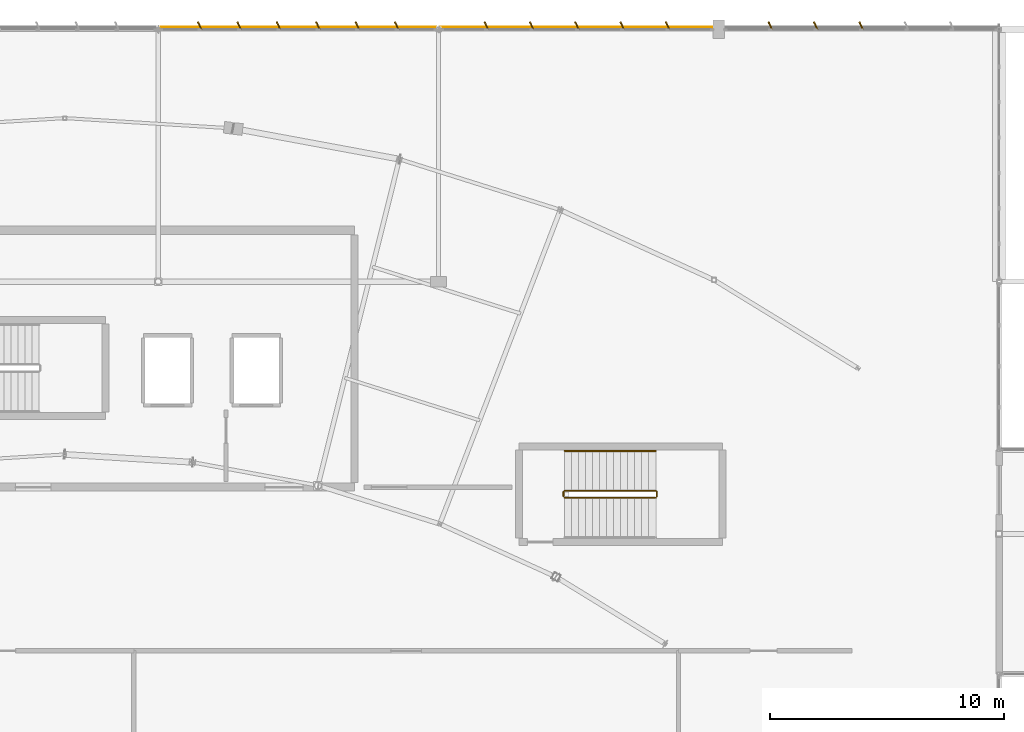
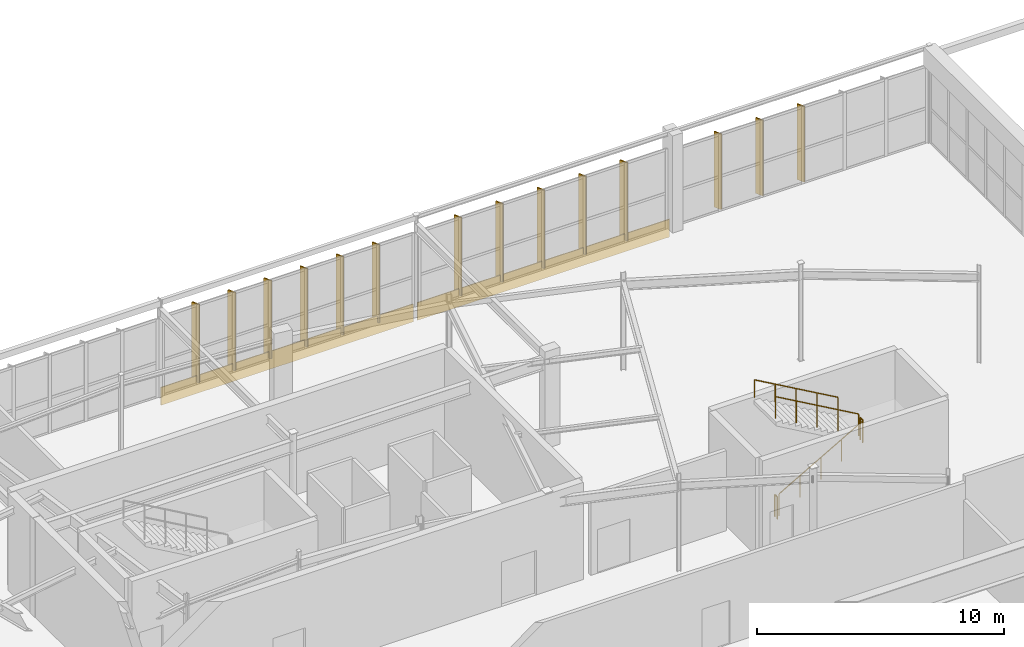
# One storey, part 175 of 186: 14 shading devices, 5 railings, 2 coverings.
"""IFC4 building model written with IfcOpenShell, lengths in metres."""

from ifc_helpers import new_model, si_unit, direction, frame, origin, origin_2d, place, context, subcontext, project, spatial, rectangle, circle, extrude, material, layer, layer_set, type_object, element, save


model = new_model("IFC4")

# Units and contexts
model_context = context("Model", 3, precision=1e-05, world=origin(), true_north=direction((0.0, 1.0)))
body_context = subcontext(model_context, "Body", "Model", "MODEL_VIEW")
ifc_project = project(units=[si_unit("LENGTHUNIT", "METRE"), si_unit("AREAUNIT", "SQUARE_METRE"), si_unit("VOLUMEUNIT", "CUBIC_METRE"), si_unit("PLANEANGLEUNIT", "RADIAN"), si_unit("MASSUNIT", "GRAM", prefix="KILO")], contexts=[model_context])

# Site, building, storey
site_placement = place(None, origin())
site = spatial("IfcSite", under=ifc_project, at=site_placement, CompositionType="ELEMENT")
building_placement = place(site_placement, origin())
building = spatial("IfcBuilding", under=site, at=building_placement, Name="Tarnwether General Hospital", CompositionType="ELEMENT")
storey_placement = place(building_placement, frame((0.0, 0.0, 9.60009765625)))
storey = spatial("IfcBuildingStorey", under=building, at=storey_placement, Name="L02", CompositionType="ELEMENT", Elevation=9.60009765625)

# Coverings
ifc_material_1 = material(Name="Folded zinc-titanium cladding")
ifc_layer_1 = layer(ifc_material_1, 0.0400390625)
ifc_layer_set_1 = layer_set([ifc_layer_1], Name="Folded zinc-titanium cladding")
covering_type = type_object("IfcCoveringType", Name="CV-CLD-ZNC", PredefinedType="CLADDING", material=ifc_layer_set_1)
for number, where, z_axis, x_axis, name in (
    (1, (102.0, 126.090087890625, -0.52001953125), (0.0, 0.0, 1.0), (1.0, 0.0, 0.0), "Diagnostic Base Faceted Zinc Spandrel 086"),
    (2, (114.0, 126.090087890625, -0.52001953125), (0.0, 0.0, 1.0), (1.0, 0.0, 0.0), "Diagnostic Base Faceted Zinc Spandrel 087"),
):
    element("IfcCovering", number, at=place(storey_placement, frame(where, z_axis=z_axis, x_axis=x_axis)), inside=storey, type_object=covering_type, Name=name, PredefinedType="CLADDING", context=body_context, shape_type="SweptSolid", body=[
        extrude(rectangle(XDim=11.800048828125, YDim=0.0400390625, at=origin_2d()), origin(), (0.0, 0.0, 1.0), 0.8798828125),
    ])

# Railings
ifc_material_2 = material(Name="Anodised aluminium", Category="aluminium")
railing_type_1 = type_object("IfcRailingType", Name="RL-GRD-INT", PredefinedType="GUARDRAIL", material=ifc_material_2)
railing_1_placement = place(storey_placement, frame((113.39990234375, 105.949951171875, 0.17138671875)))
element("IfcRailing", 3, at=railing_1_placement, inside=storey, type_object=railing_type_1, Name="L02 ST-08 stair guard 1", PredefinedType="GUARDRAIL", context=body_context, shape_type="SweptSolid", body=[
    extrude(circle(Radius=0.02392578125, at=origin_2d()), frame((0.0, 0.0, 1.076171875), z_axis=(0.868256520506, 0.0, 0.496115525457), x_axis=(0.0, 1.0, 0.0)), (0.0, 0.0, 1.0), 4.491943359375),
    extrude(circle(Radius=0.02099609375, at=origin_2d()), origin(), (0.0, 0.0, 1.0), 1.052001953125),
    extrude(circle(Radius=0.02099609375, at=origin_2d()), frame((0.97509765625, 0.0, 0.55712890625)), (0.0, 0.0, 1.0), 1.052001953125),
    extrude(circle(Radius=0.02099609375, at=origin_2d()), frame((1.9501953125, 0.0, 1.1142578125)), (0.0, 0.0, 1.0), 1.052001953125),
    extrude(circle(Radius=0.02099609375, at=origin_2d()), frame((2.925048828125, 0.0, 1.67138671875)), (0.0, 0.0, 1.0), 1.052001953125),
    extrude(circle(Radius=0.02099609375, at=origin_2d()), frame((3.900146484375, 0.0, 2.228515625)), (0.0, 0.0, 1.0), 1.052001953125),
])
railing_2_placement = place(storey_placement, frame((117.35009765625, 106.0, 2.39990234375)))
element("IfcRailing", 4, at=railing_2_placement, inside=storey, type_object=railing_type_1, Name="L02 ST-08 stair guard 2", PredefinedType="GUARDRAIL", context=body_context, shape_type="SweptSolid", body=[
    extrude(circle(Radius=0.02392578125, at=origin_2d()), frame((0.0, 0.0, 1.076171875), z_axis=(0.0, 1.0, 0.0), x_axis=(-1.0, 0.0, 0.0)), (0.0, 0.0, 1.0), 0.199951171875),
    extrude(circle(Radius=0.02099609375, at=origin_2d()), origin(), (0.0, 0.0, 1.0), 1.052001953125),
    extrude(circle(Radius=0.02099609375, at=origin_2d()), frame((0.0, 0.199951171875, 0.0)), (0.0, 0.0, 1.0), 1.052001953125),
])
railing_3_placement = place(storey_placement, frame((117.300048828125, 106.25, 2.5712890625)))
element("IfcRailing", 5, at=railing_3_placement, inside=storey, type_object=railing_type_1, Name="L02 ST-08 stair guard 3", PredefinedType="GUARDRAIL", context=body_context, shape_type="SweptSolid", body=[
    extrude(circle(Radius=0.02392578125, at=origin_2d()), frame((0.0, 0.0, 1.076171875), z_axis=(-0.868256520506, 0.0, 0.496115525457), x_axis=(0.0, -1.0, 0.0)), (0.0, 0.0, 1.0), 4.491943359375),
    extrude(circle(Radius=0.02099609375, at=origin_2d()), origin(), (0.0, 0.0, 1.0), 1.052001953125),
    extrude(circle(Radius=0.02099609375, at=origin_2d()), frame((-0.97509765625, 0.0, 0.55712890625)), (0.0, 0.0, 1.0), 1.052001953125),
    extrude(circle(Radius=0.02099609375, at=origin_2d()), frame((-1.9501953125, 0.0, 1.1142578125)), (0.0, 0.0, 1.0), 1.052001953125),
    extrude(circle(Radius=0.02099609375, at=origin_2d()), frame((-2.925048828125, 0.0, 1.67138671875)), (0.0, 0.0, 1.0), 1.052001953125),
    extrude(circle(Radius=0.02099609375, at=origin_2d()), frame((-3.900146484375, 0.0, 2.228515625)), (0.0, 0.0, 1.0), 1.052001953125),
])
railing_4_placement = place(storey_placement, frame((113.35009765625, 106.0, 0.0)))
element("IfcRailing", 6, at=railing_4_placement, inside=storey, type_object=railing_type_1, Name="L02 ST-08 stair guard 4", PredefinedType="GUARDRAIL", context=body_context, shape_type="SweptSolid", body=[
    extrude(circle(Radius=0.02392578125, at=origin_2d()), frame((0.0, 0.0, 1.076171875), z_axis=(0.0, 1.0, 0.0), x_axis=(-1.0, 0.0, 0.0)), (0.0, 0.0, 1.0), 0.199951171875),
    extrude(circle(Radius=0.02099609375, at=origin_2d()), origin(), (0.0, 0.0, 1.0), 1.052001953125),
    extrude(circle(Radius=0.02099609375, at=origin_2d()), frame((0.0, 0.199951171875, 0.0)), (0.0, 0.0, 1.0), 1.052001953125),
])
ifc_material_3 = material(Name="Anodised aluminium", Category="aluminium")
railing_type_2 = type_object("IfcRailingType", Name="RL-HND-INT", PredefinedType="HANDRAIL", material=ifc_material_3)
railing_5_placement = place(storey_placement, frame((117.300048828125, 107.949951171875, 2.5712890625)))
element("IfcRailing", 7, at=railing_5_placement, inside=storey, type_object=railing_type_2, Name="L02 ST-08 stair handrail 2", PredefinedType="HANDRAIL", context=body_context, shape_type="SweptSolid", body=[
    extrude(circle(Radius=0.02392578125, at=origin_2d()), frame((0.0, 0.0, 0.8759765625), z_axis=(-0.868256520506, 0.0, 0.496115525457), x_axis=(0.0, -1.0, 0.0)), (0.0, 0.0, 1.0), 4.491943359375),
    extrude(circle(Radius=0.02099609375, at=origin_2d()), origin(), (0.0, 0.0, 1.0), 0.851806640625),
    extrude(circle(Radius=0.02099609375, at=origin_2d()), frame((-0.97509765625, 0.0, 0.55712890625)), (0.0, 0.0, 1.0), 0.851806640625),
    extrude(circle(Radius=0.02099609375, at=origin_2d()), frame((-1.9501953125, 0.0, 1.1142578125)), (0.0, 0.0, 1.0), 0.851806640625),
    extrude(circle(Radius=0.02099609375, at=origin_2d()), frame((-2.925048828125, 0.0, 1.67138671875)), (0.0, 0.0, 1.0), 0.851806640625),
    extrude(circle(Radius=0.02099609375, at=origin_2d()), frame((-3.900146484375, 0.0, 2.228515625)), (0.0, 0.0, 1.0), 0.851806640625),
])

# Shading devices
ifc_material_4 = material(Name="Champagne-bronze anodised aluminium", Category="aluminium")
ifc_layer_2 = layer(ifc_material_4, 0.06005859375)
ifc_layer_set_2 = layer_set([ifc_layer_2], Name="Champagne-bronze anodised aluminium")
shading_device_type = type_object("IfcShadingDeviceType", Name="SH-FIN-BRZ", PredefinedType="USERDEFINED", material=ifc_layer_set_2)
for number, where, z_axis, x_axis, name in (
    (8, (97.77197265625, 126.159912109375, 0.0498046875), (0.0, 0.0, 1.0), (0.906307787037, 0.422618261741, 0.0), "Champagne-Bronze Brise-Soleil Fin 0398"),
    (9, (99.458984375, 126.159912109375, 0.0498046875), (0.0, 0.0, 1.0), (0.906307787037, 0.422618261741, 0.0), "Champagne-Bronze Brise-Soleil Fin 0399"),
    (10, (101.14599609375, 126.159912109375, 0.0498046875), (0.0, 0.0, 1.0), (0.906307787037, 0.422618261741, 0.0), "Champagne-Bronze Brise-Soleil Fin 0400"),
    (11, (102.8330078125, 126.159912109375, 0.0498046875), (0.0, 0.0, 1.0), (0.906307787037, 0.422618261741, 0.0), "Champagne-Bronze Brise-Soleil Fin 0401"),
    (12, (104.52099609375, 126.159912109375, 0.0498046875), (0.0, 0.0, 1.0), (0.906307787037, 0.422618261741, 0.0), "Champagne-Bronze Brise-Soleil Fin 0402"),
    (13, (106.2080078125, 126.159912109375, 0.0498046875), (0.0, 0.0, 1.0), (0.906307787037, 0.422618261741, 0.0), "Champagne-Bronze Brise-Soleil Fin 0403"),
):
    element("IfcShadingDevice", number, at=place(storey_placement, frame(where, z_axis=z_axis, x_axis=x_axis)), inside=storey, type_object=shading_device_type, Name=name, ObjectType="SOLAR FIN", PredefinedType="USERDEFINED", context=body_context, shape_type="SweptSolid", body=[
        extrude(rectangle(XDim=0.06005859375, YDim=0.360107421875, at=origin_2d()), origin(), (0.0, 0.0, 1.0), 3.85498046875),
    ])
for number, where, z_axis, x_axis, name in (
    (14, (110.0439453125, 126.159912109375, 0.050048828125), (0.0, 0.0, 1.0), (0.906307787037, 0.422618261741, 0.0), "Champagne-Bronze Brise-Soleil Fin 0404"),
    (15, (111.98388671875, 126.159912109375, 0.050048828125), (0.0, 0.0, 1.0), (0.906307787037, 0.422618261741, 0.0), "Champagne-Bronze Brise-Soleil Fin 0405"),
    (16, (113.923095703125, 126.159912109375, 0.050048828125), (0.0, 0.0, 1.0), (0.906307787037, 0.422618261741, 0.0), "Champagne-Bronze Brise-Soleil Fin 0406"),
    (17, (115.863037109375, 126.159912109375, 0.050048828125), (0.0, 0.0, 1.0), (0.906307787037, 0.422618261741, 0.0), "Champagne-Bronze Brise-Soleil Fin 0407"),
    (18, (117.802001953125, 126.159912109375, 0.050048828125), (0.0, 0.0, 1.0), (0.906307787037, 0.422618261741, 0.0), "Champagne-Bronze Brise-Soleil Fin 0408"),
):
    element("IfcShadingDevice", number, at=place(storey_placement, frame(where, z_axis=z_axis, x_axis=x_axis)), inside=storey, type_object=shading_device_type, Name=name, ObjectType="SOLAR FIN", PredefinedType="USERDEFINED", context=body_context, shape_type="SweptSolid", body=[
        extrude(rectangle(XDim=0.06005859375, YDim=0.360107421875, at=origin_2d()), origin(), (0.0, 0.0, 1.0), 3.85791015625),
    ])
for number, where, z_axis, x_axis, name in (
    (19, (122.200927734375, 126.159912109375, 0.0498046875), (0.0, 0.0, 1.0), (0.906307787037, 0.422618261741, 0.0), "Champagne-Bronze Brise-Soleil Fin 0409"),
    (20, (124.14404296875, 126.159912109375, 0.0498046875), (0.0, 0.0, 1.0), (0.906307787037, 0.422618261741, 0.0), "Champagne-Bronze Brise-Soleil Fin 0410"),
    (21, (126.087890625, 126.159912109375, 0.0498046875), (0.0, 0.0, 1.0), (0.906307787037, 0.422618261741, 0.0), "Champagne-Bronze Brise-Soleil Fin 0411"),
):
    element("IfcShadingDevice", number, at=place(storey_placement, frame(where, z_axis=z_axis, x_axis=x_axis)), inside=storey, type_object=shading_device_type, Name=name, ObjectType="SOLAR FIN", PredefinedType="USERDEFINED", context=body_context, shape_type="SweptSolid", body=[
        extrude(rectangle(XDim=0.06005859375, YDim=0.360107421875, at=origin_2d()), origin(), (0.0, 0.0, 1.0), 3.735107421875),
    ])

save(model, "model.ifc")
